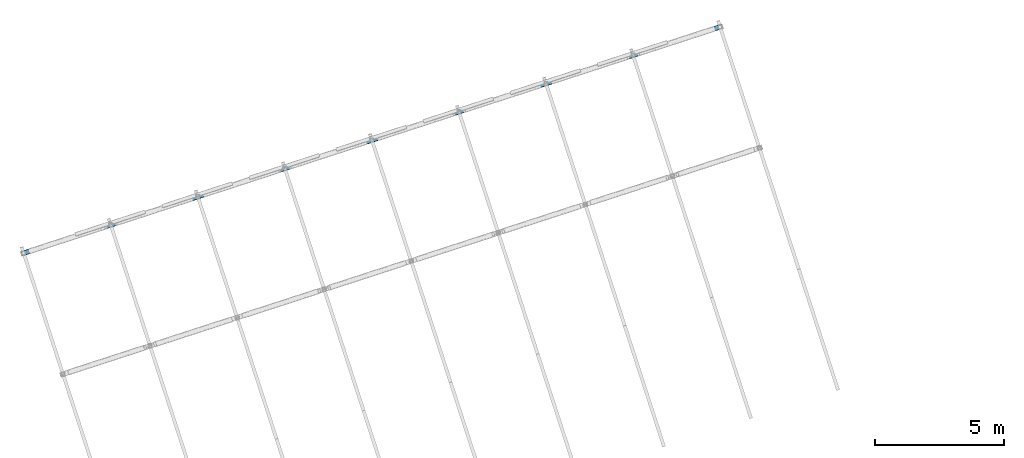
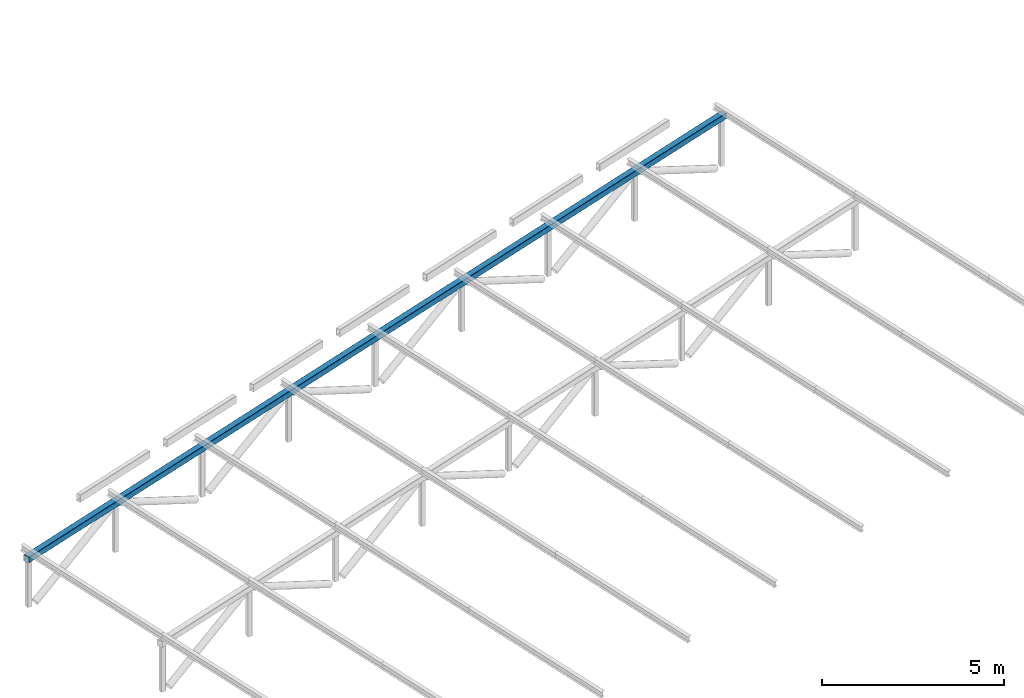
# One storey, part 7 of 43: 1 member.
"""IFC4 building model written with IfcOpenShell, lengths in metres."""

from ifc_helpers import new_model, si_unit, direction, frame, origin, origin_2d, place, context, subcontext, project, spatial, hollow_rectangle, extrude, material, material_profile, profile_set, type_object, element, save


model = new_model("IFC4")

# Units and contexts
model_context = context("Model", 3, precision=1e-05, world=origin(), true_north=direction((0.0, 1.0)))
body_context = subcontext(model_context, "Body", "Model", "MODEL_VIEW")
ifc_project = project(units=[si_unit("LENGTHUNIT", "METRE"), si_unit("AREAUNIT", "SQUARE_METRE"), si_unit("VOLUMEUNIT", "CUBIC_METRE"), si_unit("PLANEANGLEUNIT", "RADIAN"), si_unit("MASSUNIT", "GRAM", prefix="KILO")], contexts=[model_context])

# Site, building, storey
site_placement = place(None, origin())
site = spatial("IfcSite", under=ifc_project, at=site_placement, CompositionType="ELEMENT")
building_placement = place(site_placement, origin())
building = spatial("IfcBuilding", under=site, at=building_placement, Name="Tuart Plaza Theatre", CompositionType="ELEMENT")
storey_placement = place(building_placement, frame((0.0, 0.0, 33.5)))
storey = spatial("IfcBuildingStorey", under=building, at=storey_placement, Name="L08", CompositionType="ELEMENT", Elevation=33.5)

# Member
ifc_material = material(Name="Steel Grade C350L0", Category="steel")
ifc_material_profile = material_profile(ifc_material, hollow_rectangle(XDim=0.199951171875, YDim=0.199951171875, WallThickness=0.010009765625, InnerFilletRadius=0.010009765625, OuterFilletRadius=0.02001953125, at=origin_2d()), Name="200x200x10 SHS")
ifc_profile_set = profile_set([ifc_material_profile], Name="Steel Grade C350L0")
member_type = type_object("IfcMemberType", Name="MEMBER Chord 200x200x10 SHS", PredefinedType="CHORD", material=ifc_profile_set)
member_placement = place(storey_placement, frame((35.315185546875, 87.69873046875, 1.48583984375), z_axis=(0.95105495418, 0.309021802029, 0.0), x_axis=(-0.309021802029, 0.95105495418, 0.0)))
element("IfcMember", 1, at=member_placement, inside=storey, type_object=member_type, Name="CH26", PredefinedType="CHORD", context=body_context, shape_type="SweptSolid", body=[
    extrude(hollow_rectangle(XDim=0.199951171875, YDim=0.199951171875, WallThickness=0.010009765625, InnerFilletRadius=0.010009765625, OuterFilletRadius=0.02001953125, at=origin_2d()), origin(), (0.0, 0.0, 1.0), 28.68896484375),
])

save(model, "model.ifc")
